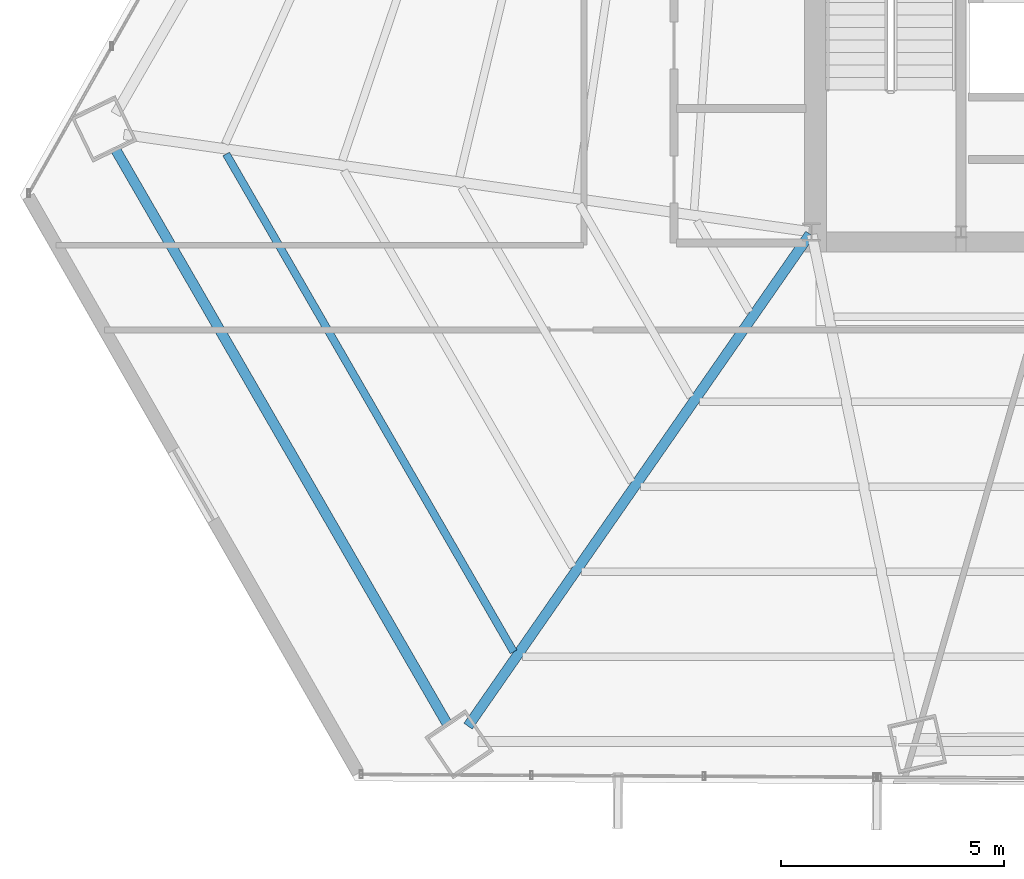
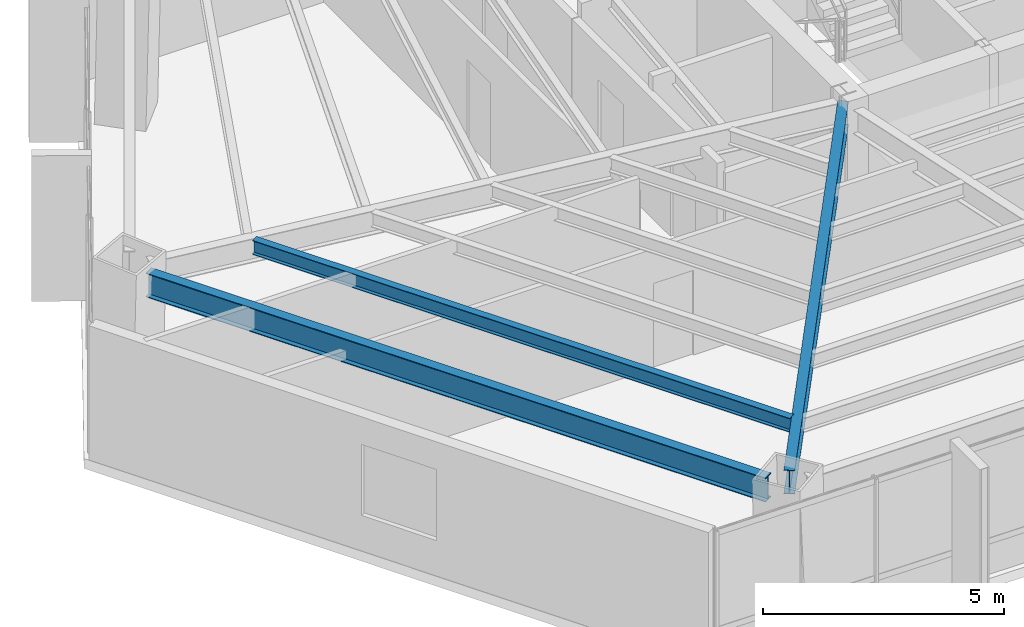
# One storey, part 5 of 36: 3 beams.
"""IFC4 building model written with IfcOpenShell, lengths in metres."""

from ifc_helpers import new_model, si_unit, direction, frame, origin, origin_2d, place, context, subcontext, project, spatial, i_section, extrude, source, transform, mapped, material, material_profile, profile_set, type_object, type_shapes, element, save


model = new_model("IFC4")

# Units and contexts
model_context = context("Model", 3, precision=1e-05, world=origin(), true_north=direction((0.0, 1.0)))
body_context = subcontext(model_context, "Body", "Model", "MODEL_VIEW")
ifc_project = project(units=[si_unit("LENGTHUNIT", "METRE"), si_unit("AREAUNIT", "SQUARE_METRE"), si_unit("VOLUMEUNIT", "CUBIC_METRE"), si_unit("PLANEANGLEUNIT", "RADIAN"), si_unit("MASSUNIT", "GRAM", prefix="KILO")], contexts=[model_context])

# Site, building, storey
site_placement = place(None, origin())
site = spatial("IfcSite", under=ifc_project, at=site_placement, CompositionType="ELEMENT")
building_placement = place(site_placement, origin())
building = spatial("IfcBuilding", under=site, at=building_placement, Name="Caelisora Broadcast Tower", CompositionType="ELEMENT")
storey_placement = place(building_placement, frame((0.0, 0.0, 83.5)))
storey = spatial("IfcBuildingStorey", under=building, at=storey_placement, Name="L21", CompositionType="ELEMENT", Elevation=83.5)

# Beams
ifc_material = material(Name="Steel Grade 350 (AS/NZS 3679.1)", Category="steel")
ifc_material_profile_1 = material_profile(ifc_material, i_section(OverallWidth=0.22900390625, OverallDepth=0.611572265625, WebThickness=0.011962890625, FlangeThickness=0.01953125, at=origin_2d()), Name="Steel Grade 350 (AS/NZS 3679.1)")
ifc_profile_set_1 = profile_set([ifc_material_profile_1], Name="Steel Grade 350 (AS/NZS 3679.1)")
beam_type_1 = type_object("IfcBeamType", Name="PG03", PredefinedType="BEAM", material=ifc_profile_set_1)
shared_shape_1 = source(origin(), body_context, "Body", "SweptSolid", [
    extrude(i_section(OverallWidth=0.22900390625, OverallDepth=0.611572265625, WebThickness=0.011962890625, FlangeThickness=0.01953125, at=origin_2d()), origin(), (0.0, 0.0, 1.0), 14.858154296875),
])
type_shapes(beam_type_1, [shared_shape_1])
beam_1_placement = place(storey_placement, frame((14.906494140625, 19.245361328125, 3.09423828125), z_axis=(0.50000929273, -0.866020038558, 0.0), x_axis=(0.866020038558, 0.50000929273, 0.0)))
element("IfcBeam", 1, at=beam_1_placement, inside=storey, type_object=beam_type_1, Name="L21 beam PG03", PredefinedType="BEAM", context=body_context, shape_type="MappedRepresentation", body=[
    mapped(shared_shape_1, transform((0.0, 0.0, 0.0), scale=1.0)),
])
ifc_material_profile_2 = material_profile(ifc_material, i_section(OverallWidth=0.22802734375, OverallDepth=0.602294921875, WebThickness=0.010498046875, FlangeThickness=0.014892578125, at=origin_2d()), Name="Steel Grade 350 (AS/NZS 3679.1)")
ifc_profile_set_2 = profile_set([ifc_material_profile_2], Name="Steel Grade 350 (AS/NZS 3679.1)")
beam_type_2 = type_object("IfcBeamType", Name="PG04", PredefinedType="BEAM", material=ifc_profile_set_2)
shared_shape_2 = source(origin(), body_context, "Body", "SweptSolid", [
    extrude(i_section(OverallWidth=0.22802734375, OverallDepth=0.602294921875, WebThickness=0.010498046875, FlangeThickness=0.014892578125, at=origin_2d()), origin(), (0.0, 0.0, 1.0), 13.426025390625),
])
type_shapes(beam_type_2, [shared_shape_2])
beam_2_placement = place(storey_placement, frame((30.4658203125, 17.3505859375, 3.098876953125), z_axis=(-0.57057742726, -0.821243812459, 0.0), x_axis=(0.821243812459, -0.57057742726, 0.0)))
element("IfcBeam", 2, at=beam_2_placement, inside=storey, type_object=beam_type_2, Name="L21 beam PG04", PredefinedType="BEAM", context=body_context, shape_type="MappedRepresentation", body=[
    mapped(shared_shape_2, transform((0.0, 0.0, 0.0), scale=1.0)),
])
ifc_material_profile_3 = material_profile(ifc_material, i_section(OverallWidth=0.172119140625, OverallDepth=0.358642578125, WebThickness=0.008056640625, FlangeThickness=0.012939453125, at=origin_2d()), Name="Steel Grade 350 (AS/NZS 3679.1)")
ifc_profile_set_3 = profile_set([ifc_material_profile_3], Name="Steel Grade 350 (AS/NZS 3679.1)")
beam_type_3 = type_object("IfcBeamType", Name="SB02", PredefinedType="JOIST", material=ifc_profile_set_3)
shared_shape_3 = source(origin(), body_context, "Body", "SweptSolid", [
    extrude(i_section(OverallWidth=0.172119140625, OverallDepth=0.358642578125, WebThickness=0.008056640625, FlangeThickness=0.012939453125, at=origin_2d()), origin(), (0.0, 0.0, 1.0), 12.883544921875),
])
type_shapes(beam_type_3, [shared_shape_3])
beam_3_placement = place(storey_placement, frame((17.384765625, 19.14697265625, 3.220703125), z_axis=(0.499993111901, -0.866029380594, 0.0), x_axis=(0.866029380594, 0.499993111901, 0.0)))
element("IfcBeam", 3, at=beam_3_placement, inside=storey, type_object=beam_type_3, Name="L21 beam SB02", PredefinedType="JOIST", context=body_context, shape_type="MappedRepresentation", body=[
    mapped(shared_shape_3, transform((0.0, 0.0, 0.0), scale=1.0)),
])

save(model, "model.ifc")
